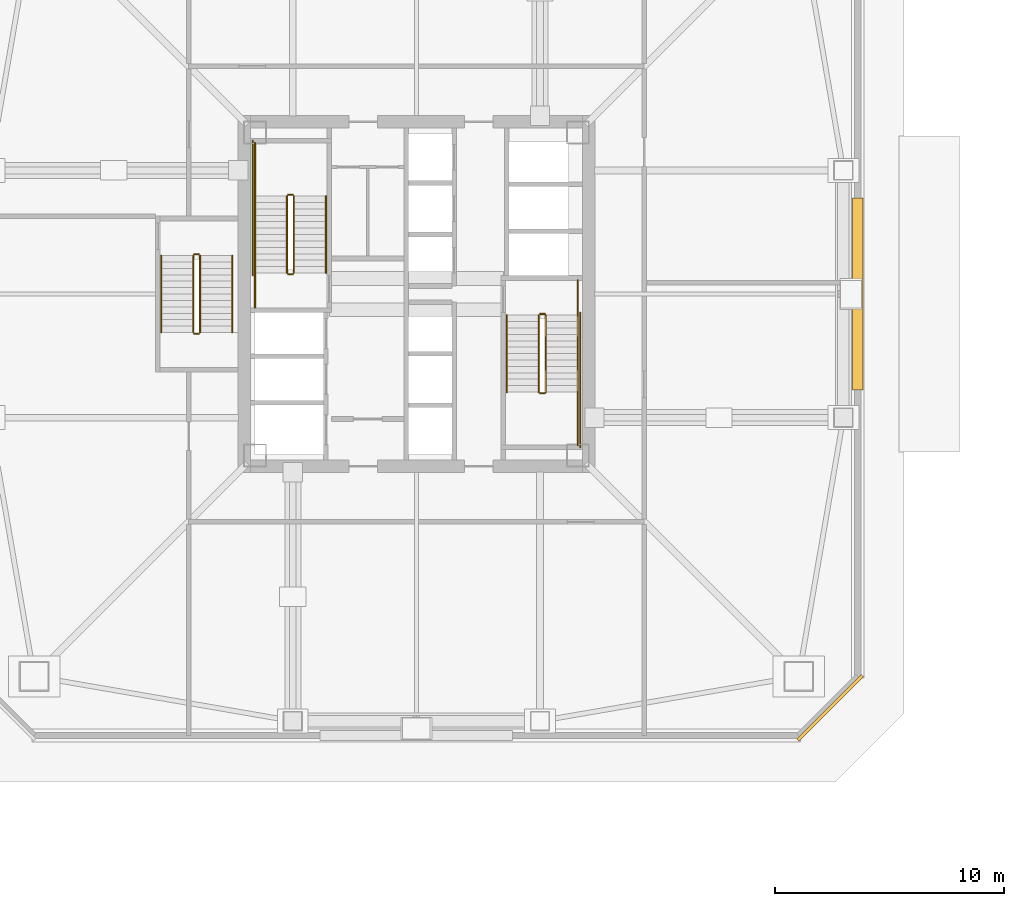
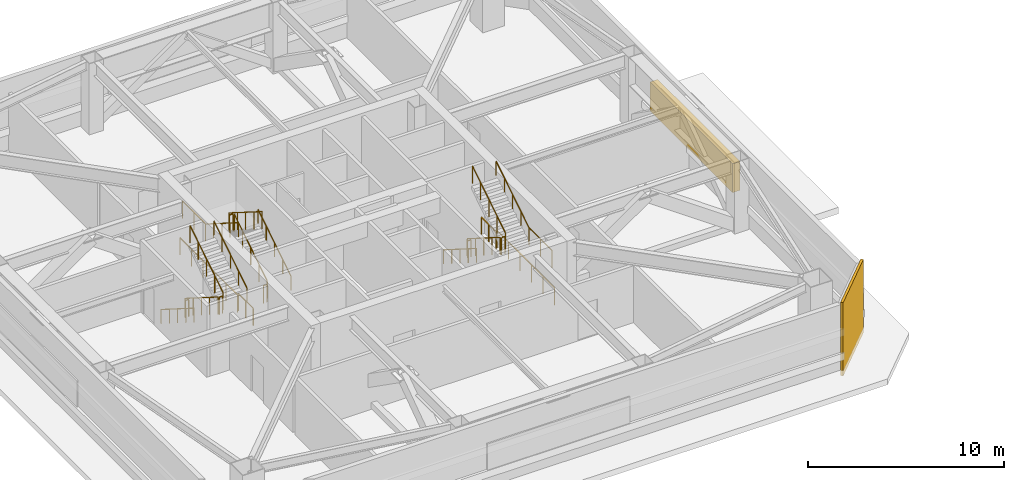
# One storey, part 11 of 15: 24 railings, 1 covering, 1 shading device.
"""IFC4 building model written with IfcOpenShell, lengths in metres."""

from ifc_helpers import new_model, si_unit, direction, frame, origin, origin_2d, place, context, subcontext, project, spatial, rectangle, extrude, material, layer, layer_set, type_object, element, save


model = new_model("IFC4")

# Units and contexts
model_context = context("Model", 3, precision=1e-05, world=origin(), true_north=direction((0.0, 1.0)))
body_context = subcontext(model_context, "Body", "Model", "MODEL_VIEW")
ifc_project = project(units=[si_unit("LENGTHUNIT", "METRE"), si_unit("AREAUNIT", "SQUARE_METRE"), si_unit("VOLUMEUNIT", "CUBIC_METRE"), si_unit("PLANEANGLEUNIT", "RADIAN"), si_unit("MASSUNIT", "GRAM", prefix="KILO")], contexts=[model_context])

# Site, building, storey
site_placement = place(None, origin())
site = spatial("IfcSite", under=ifc_project, at=site_placement, CompositionType="ELEMENT")
building_placement = place(site_placement, origin())
building = spatial("IfcBuilding", under=site, at=building_placement, Name="Tashvorn Skyway Center", CompositionType="ELEMENT")
storey_placement = place(building_placement, frame((0.0, 0.0, 109.800048828125)))
storey = spatial("IfcBuildingStorey", under=building, at=storey_placement, Name="L29", CompositionType="ELEMENT", Elevation=109.800048828125)

# Covering
ifc_material_1 = material(Name="Precast concrete C40/50", Category="concrete")
ifc_layer_1 = layer(ifc_material_1, 0.35009765625)
ifc_layer_set_1 = layer_set([ifc_layer_1], Name="Precast concrete C40/50")
covering_type = type_object("IfcCoveringType", Name="COV-STONE-TRIM", PredefinedType="CLADDING", material=ifc_layer_set_1)
covering_placement = place(storey_placement, frame((60.070068359375, 13.929931640625, 0.02001953125), z_axis=(0.0, 0.0, 1.0), x_axis=(0.707106781187, 0.707106781187, 0.0)))
element("IfcCovering", 1, at=covering_placement, inside=storey, type_object=covering_type, Name="Tower 1 L29 SE Mojave Limestone Corner Quoin", PredefinedType="CLADDING", context=body_context, shape_type="SweptSolid", body=[
    extrude(rectangle(XDim=3.978515625, YDim=0.139892578125, at=origin_2d()), origin(), (0.0, 0.0, 1.0), 4.56005859375),
])

# Railings
ifc_material_2 = material(Name="Brushed stainless steel 316", Category="steel")
railing_type_1 = type_object("IfcRailingType", Name="RAIL-HAND-920", PredefinedType="HANDRAIL", material=ifc_material_2)
railing_1_placement = place(storey_placement, frame((38.050048828125, 32.919921875, 0.1767578125)))
element("IfcRailing", 2, at=railing_1_placement, inside=storey, type_object=railing_type_1, Name="L29 ST-T1-1 stair handrail 1", PredefinedType="HANDRAIL", context=body_context, shape_type="SweptSolid", body=[
    extrude(rectangle(XDim=0.048095703125, YDim=0.048095703125, at=origin_2d()), frame((0.0, 0.0, 0.8759765625), z_axis=(0.0, 0.845361898145, 0.534194029511), x_axis=(-1.0, 0.0, 0.0)), (0.0, 0.0, 1.0), 3.974853515625),
    extrude(rectangle(XDim=0.0419921875, YDim=0.0419921875, at=origin_2d()), origin(), (0.0, 0.0, 1.0), 0.851806640625),
    extrude(rectangle(XDim=0.0419921875, YDim=0.0419921875, at=origin_2d()), frame((0.0, 0.840087890625, 0.53076171875)), (0.0, 0.0, 1.0), 0.851806640625),
    extrude(rectangle(XDim=0.0419921875, YDim=0.0419921875, at=origin_2d()), frame((0.0, 1.68017578125, 1.0615234375)), (0.0, 0.0, 1.0), 0.851806640625),
    extrude(rectangle(XDim=0.0419921875, YDim=0.0419921875, at=origin_2d()), frame((0.0, 2.52001953125, 1.592529296875)), (0.0, 0.0, 1.0), 0.851806640625),
    extrude(rectangle(XDim=0.0419921875, YDim=0.0419921875, at=origin_2d()), frame((0.0, 3.360107421875, 2.123291015625)), (0.0, 0.0, 1.0), 0.851806640625),
])
railing_2_placement = place(storey_placement, frame((34.949951171875, 36.280029296875, 2.476806640625)))
element("IfcRailing", 3, at=railing_2_placement, inside=storey, type_object=railing_type_1, Name="L29 ST-T1-1 stair handrail 2", PredefinedType="HANDRAIL", context=body_context, shape_type="SweptSolid", body=[
    extrude(rectangle(XDim=0.048095703125, YDim=0.048095703125, at=origin_2d()), frame((0.0, 0.0, 0.8759765625), z_axis=(0.0, -0.845389635667, 0.534150132366), x_axis=(1.0, 0.0, 0.0)), (0.0, 0.0, 1.0), 3.974609375),
    extrude(rectangle(XDim=0.0419921875, YDim=0.0419921875, at=origin_2d()), origin(), (0.0, 0.0, 1.0), 0.851806640625),
    extrude(rectangle(XDim=0.0419921875, YDim=0.0419921875, at=origin_2d()), frame((0.0, -0.840087890625, 0.53076171875)), (0.0, 0.0, 1.0), 0.851806640625),
    extrude(rectangle(XDim=0.0419921875, YDim=0.0419921875, at=origin_2d()), frame((0.0, -1.68017578125, 1.0615234375)), (0.0, 0.0, 1.0), 0.851806640625),
    extrude(rectangle(XDim=0.0419921875, YDim=0.0419921875, at=origin_2d()), frame((0.0, -2.52001953125, 1.59228515625)), (0.0, 0.0, 1.0), 0.851806640625),
    extrude(rectangle(XDim=0.0419921875, YDim=0.0419921875, at=origin_2d()), frame((0.0, -3.360107421875, 2.123046875)), (0.0, 0.0, 1.0), 0.851806640625),
])
railing_3_placement = place(storey_placement, frame((45.949951171875, 31.080078125, 0.1767578125)))
element("IfcRailing", 4, at=railing_3_placement, inside=storey, type_object=railing_type_1, Name="L29 ST-T1-2 stair handrail 1", PredefinedType="HANDRAIL", context=body_context, shape_type="SweptSolid", body=[
    extrude(rectangle(XDim=0.048095703125, YDim=0.048095703125, at=origin_2d()), frame((0.0, 0.0, 0.8759765625), z_axis=(0.0, -0.845361898145, 0.534194029511), x_axis=(1.0, 0.0, 0.0)), (0.0, 0.0, 1.0), 3.974853515625),
    extrude(rectangle(XDim=0.0419921875, YDim=0.0419921875, at=origin_2d()), origin(), (0.0, 0.0, 1.0), 0.851806640625),
    extrude(rectangle(XDim=0.0419921875, YDim=0.0419921875, at=origin_2d()), frame((0.0, -0.840087890625, 0.53076171875)), (0.0, 0.0, 1.0), 0.851806640625),
    extrude(rectangle(XDim=0.0419921875, YDim=0.0419921875, at=origin_2d()), frame((0.0, -1.68017578125, 1.0615234375)), (0.0, 0.0, 1.0), 0.851806640625),
    extrude(rectangle(XDim=0.0419921875, YDim=0.0419921875, at=origin_2d()), frame((0.0, -2.52001953125, 1.592529296875)), (0.0, 0.0, 1.0), 0.851806640625),
    extrude(rectangle(XDim=0.0419921875, YDim=0.0419921875, at=origin_2d()), frame((0.0, -3.360107421875, 2.123291015625)), (0.0, 0.0, 1.0), 0.851806640625),
])
railing_4_placement = place(storey_placement, frame((49.050048828125, 27.719970703125, 2.476806640625)))
element("IfcRailing", 5, at=railing_4_placement, inside=storey, type_object=railing_type_1, Name="L29 ST-T1-2 stair handrail 2", PredefinedType="HANDRAIL", context=body_context, shape_type="SweptSolid", body=[
    extrude(rectangle(XDim=0.048095703125, YDim=0.048095703125, at=origin_2d()), frame((0.0, 0.0, 0.8759765625), z_axis=(0.0, 0.845389635667, 0.534150132366), x_axis=(-1.0, 0.0, 0.0)), (0.0, 0.0, 1.0), 3.974609375),
    extrude(rectangle(XDim=0.0419921875, YDim=0.0419921875, at=origin_2d()), origin(), (0.0, 0.0, 1.0), 0.851806640625),
    extrude(rectangle(XDim=0.0419921875, YDim=0.0419921875, at=origin_2d()), frame((0.0, 0.840087890625, 0.53076171875)), (0.0, 0.0, 1.0), 0.851806640625),
    extrude(rectangle(XDim=0.0419921875, YDim=0.0419921875, at=origin_2d()), frame((0.0, 1.68017578125, 1.0615234375)), (0.0, 0.0, 1.0), 0.851806640625),
    extrude(rectangle(XDim=0.0419921875, YDim=0.0419921875, at=origin_2d()), frame((0.0, 2.52001953125, 1.59228515625)), (0.0, 0.0, 1.0), 0.851806640625),
    extrude(rectangle(XDim=0.0419921875, YDim=0.0419921875, at=origin_2d()), frame((0.0, 3.360107421875, 2.123046875)), (0.0, 0.0, 1.0), 0.851806640625),
])
railing_5_placement = place(storey_placement, frame((30.85009765625, 33.679931640625, 0.1767578125)))
element("IfcRailing", 6, at=railing_5_placement, inside=storey, type_object=railing_type_1, Name="L29 ST-T1-3 stair handrail 1", PredefinedType="HANDRAIL", context=body_context, shape_type="SweptSolid", body=[
    extrude(rectangle(XDim=0.048095703125, YDim=0.048095703125, at=origin_2d()), frame((0.0, 0.0, 0.8759765625), z_axis=(0.0, -0.845344368971, 0.534221768416), x_axis=(1.0, 0.0, 0.0)), (0.0, 0.0, 1.0), 3.974609375),
    extrude(rectangle(XDim=0.0419921875, YDim=0.0419921875, at=origin_2d()), origin(), (0.0, 0.0, 1.0), 0.851806640625),
    extrude(rectangle(XDim=0.0419921875, YDim=0.0419921875, at=origin_2d()), frame((0.0, -0.83984375, 0.53076171875)), (0.0, 0.0, 1.0), 0.851806640625),
    extrude(rectangle(XDim=0.0419921875, YDim=0.0419921875, at=origin_2d()), frame((0.0, -1.679931640625, 1.0615234375)), (0.0, 0.0, 1.0), 0.851806640625),
    extrude(rectangle(XDim=0.0419921875, YDim=0.0419921875, at=origin_2d()), frame((0.0, -2.52001953125, 1.592529296875)), (0.0, 0.0, 1.0), 0.851806640625),
    extrude(rectangle(XDim=0.0419921875, YDim=0.0419921875, at=origin_2d()), frame((0.0, -3.35986328125, 2.123291015625)), (0.0, 0.0, 1.0), 0.851806640625),
])
railing_6_placement = place(storey_placement, frame((33.949951171875, 30.320068359375, 2.476806640625)))
element("IfcRailing", 7, at=railing_6_placement, inside=storey, type_object=railing_type_1, Name="L29 ST-T1-3 stair handrail 2", PredefinedType="HANDRAIL", context=body_context, shape_type="SweptSolid", body=[
    extrude(rectangle(XDim=0.048095703125, YDim=0.048095703125, at=origin_2d()), frame((0.0, 0.0, 0.8759765625), z_axis=(0.0, 0.845372108799, 0.534177870812), x_axis=(-1.0, 0.0, 0.0)), (0.0, 0.0, 1.0), 3.974365234375),
    extrude(rectangle(XDim=0.0419921875, YDim=0.0419921875, at=origin_2d()), origin(), (0.0, 0.0, 1.0), 0.851806640625),
    extrude(rectangle(XDim=0.0419921875, YDim=0.0419921875, at=origin_2d()), frame((0.0, 0.83984375, 0.53076171875)), (0.0, 0.0, 1.0), 0.851806640625),
    extrude(rectangle(XDim=0.0419921875, YDim=0.0419921875, at=origin_2d()), frame((0.0, 1.679931640625, 1.0615234375)), (0.0, 0.0, 1.0), 0.851806640625),
    extrude(rectangle(XDim=0.0419921875, YDim=0.0419921875, at=origin_2d()), frame((0.0, 2.52001953125, 1.59228515625)), (0.0, 0.0, 1.0), 0.851806640625),
    extrude(rectangle(XDim=0.0419921875, YDim=0.0419921875, at=origin_2d()), frame((0.0, 3.35986328125, 2.123046875)), (0.0, 0.0, 1.0), 0.851806640625),
])
ifc_material_3 = material(Name="Painted galvanized steel S355", Category="steel")
railing_type_2 = type_object("IfcRailingType", Name="RAIL-STGUARD-1100", PredefinedType="GUARDRAIL", material=ifc_material_3)
railing_7_placement = place(storey_placement, frame((36.64990234375, 32.919921875, 0.1767578125)))
element("IfcRailing", 8, at=railing_7_placement, inside=storey, type_object=railing_type_2, Name="L29 ST-T1-1 stair guard 1", PredefinedType="GUARDRAIL", context=body_context, shape_type="SweptSolid", body=[
    extrude(rectangle(XDim=0.048095703125, YDim=0.048095703125, at=origin_2d()), frame((0.0, 0.0, 1.076171875), z_axis=(0.0, 0.845361898145, 0.534194029511), x_axis=(-1.0, 0.0, 0.0)), (0.0, 0.0, 1.0), 3.974853515625),
    extrude(rectangle(XDim=0.0419921875, YDim=0.0419921875, at=origin_2d()), origin(), (0.0, 0.0, 1.0), 1.052001953125),
    extrude(rectangle(XDim=0.0419921875, YDim=0.0419921875, at=origin_2d()), frame((0.0, 0.840087890625, 0.53076171875)), (0.0, 0.0, 1.0), 1.052001953125),
    extrude(rectangle(XDim=0.0419921875, YDim=0.0419921875, at=origin_2d()), frame((0.0, 1.68017578125, 1.0615234375)), (0.0, 0.0, 1.0), 1.052001953125),
    extrude(rectangle(XDim=0.0419921875, YDim=0.0419921875, at=origin_2d()), frame((0.0, 2.52001953125, 1.592529296875)), (0.0, 0.0, 1.0), 1.052001953125),
    extrude(rectangle(XDim=0.0419921875, YDim=0.0419921875, at=origin_2d()), frame((0.0, 3.360107421875, 2.123291015625)), (0.0, 0.0, 1.0), 1.052001953125),
])
railing_8_placement = place(storey_placement, frame((36.60009765625, 36.330078125, 2.300048828125)))
element("IfcRailing", 9, at=railing_8_placement, inside=storey, type_object=railing_type_2, Name="L29 ST-T1-1 stair guard 2", PredefinedType="GUARDRAIL", context=body_context, shape_type="SweptSolid", body=[
    extrude(rectangle(XDim=0.048095703125, YDim=0.048095703125, at=origin_2d()), frame((0.0, 0.0, 1.076171875), z_axis=(-1.0, 0.0, 0.0), x_axis=(0.0, -1.0, 0.0)), (0.0, 0.0, 1.0), 0.2001953125),
    extrude(rectangle(XDim=0.0419921875, YDim=0.0419921875, at=origin_2d()), origin(), (0.0, 0.0, 1.0), 1.052001953125),
    extrude(rectangle(XDim=0.0419921875, YDim=0.0419921875, at=origin_2d()), frame((-0.2001953125, 0.0, 0.0)), (0.0, 0.0, 1.0), 1.052001953125),
])
railing_9_placement = place(storey_placement, frame((34.949951171875, 36.280029296875, 2.300048828125)))
element("IfcRailing", 10, at=railing_9_placement, inside=storey, type_object=railing_type_2, Name="L29 ST-T1-1 stair guard 3", PredefinedType="GUARDRAIL", context=body_context, shape_type="SweptSolid", body=[
    extrude(rectangle(XDim=0.048095703125, YDim=0.048095703125, at=origin_2d()), frame((0.0, 0.0, 1.076171875), z_axis=(0.0, 1.0, 0.0), x_axis=(-1.0, 0.0, 0.0)), (0.0, 0.0, 1.0), 2.320068359375),
    extrude(rectangle(XDim=0.0419921875, YDim=0.0419921875, at=origin_2d()), origin(), (0.0, 0.0, 1.0), 1.052001953125),
    extrude(rectangle(XDim=0.0419921875, YDim=0.0419921875, at=origin_2d()), frame((0.0, 1.16015625, 0.0)), (0.0, 0.0, 1.0), 1.052001953125),
    extrude(rectangle(XDim=0.0419921875, YDim=0.0419921875, at=origin_2d()), frame((0.0, 2.320068359375, 0.0)), (0.0, 0.0, 1.0), 1.052001953125),
])
railing_10_placement = place(storey_placement, frame((36.35009765625, 36.280029296875, 2.476806640625)))
element("IfcRailing", 11, at=railing_10_placement, inside=storey, type_object=railing_type_2, Name="L29 ST-T1-1 stair guard 4", PredefinedType="GUARDRAIL", context=body_context, shape_type="SweptSolid", body=[
    extrude(rectangle(XDim=0.048095703125, YDim=0.048095703125, at=origin_2d()), frame((0.0, 0.0, 1.076171875), z_axis=(0.0, -0.845389635667, 0.534150132366), x_axis=(1.0, 0.0, 0.0)), (0.0, 0.0, 1.0), 3.974609375),
    extrude(rectangle(XDim=0.0419921875, YDim=0.0419921875, at=origin_2d()), origin(), (0.0, 0.0, 1.0), 1.052001953125),
    extrude(rectangle(XDim=0.0419921875, YDim=0.0419921875, at=origin_2d()), frame((0.0, -0.840087890625, 0.53076171875)), (0.0, 0.0, 1.0), 1.052001953125),
    extrude(rectangle(XDim=0.0419921875, YDim=0.0419921875, at=origin_2d()), frame((0.0, -1.68017578125, 1.0615234375)), (0.0, 0.0, 1.0), 1.052001953125),
    extrude(rectangle(XDim=0.0419921875, YDim=0.0419921875, at=origin_2d()), frame((0.0, -2.52001953125, 1.59228515625)), (0.0, 0.0, 1.0), 1.052001953125),
    extrude(rectangle(XDim=0.0419921875, YDim=0.0419921875, at=origin_2d()), frame((0.0, -3.360107421875, 2.123046875)), (0.0, 0.0, 1.0), 1.052001953125),
])
railing_11_placement = place(storey_placement, frame((36.60009765625, 32.8701171875, 0.0)))
element("IfcRailing", 12, at=railing_11_placement, inside=storey, type_object=railing_type_2, Name="L29 ST-T1-1 stair guard 5", PredefinedType="GUARDRAIL", context=body_context, shape_type="SweptSolid", body=[
    extrude(rectangle(XDim=0.048095703125, YDim=0.048095703125, at=origin_2d()), frame((0.0, 0.0, 1.076171875), z_axis=(-1.0, 0.0, 0.0), x_axis=(0.0, -1.0, 0.0)), (0.0, 0.0, 1.0), 0.2001953125),
    extrude(rectangle(XDim=0.0419921875, YDim=0.0419921875, at=origin_2d()), origin(), (0.0, 0.0, 1.0), 1.052001953125),
    extrude(rectangle(XDim=0.0419921875, YDim=0.0419921875, at=origin_2d()), frame((-0.2001953125, 0.0, 0.0)), (0.0, 0.0, 1.0), 1.052001953125),
])
railing_12_placement = place(storey_placement, frame((34.949951171875, 31.39990234375, 0.0)))
element("IfcRailing", 13, at=railing_12_placement, inside=storey, type_object=railing_type_2, Name="L29 ST-T1-1 stair guard 6", PredefinedType="GUARDRAIL", context=body_context, shape_type="SweptSolid", body=[
    extrude(rectangle(XDim=0.048095703125, YDim=0.048095703125, at=origin_2d()), frame((0.0, 0.0, 1.076171875), z_axis=(0.0, 1.0, 0.0), x_axis=(-1.0, 0.0, 0.0)), (0.0, 0.0, 1.0), 1.52001953125),
    extrude(rectangle(XDim=0.0419921875, YDim=0.0419921875, at=origin_2d()), origin(), (0.0, 0.0, 1.0), 1.052001953125),
    extrude(rectangle(XDim=0.0419921875, YDim=0.0419921875, at=origin_2d()), frame((0.0, 0.760009765625, 0.0)), (0.0, 0.0, 1.0), 1.052001953125),
    extrude(rectangle(XDim=0.0419921875, YDim=0.0419921875, at=origin_2d()), frame((0.0, 1.52001953125, 0.0)), (0.0, 0.0, 1.0), 1.052001953125),
])
railing_13_placement = place(storey_placement, frame((34.85009765625, 32.820068359375, 0.0)))
element("IfcRailing", 14, at=railing_13_placement, inside=storey, type_object=railing_type_2, Name="L29 ST-T1-1 stair guard 7", PredefinedType="GUARDRAIL", context=body_context, shape_type="SweptSolid", body=[
    extrude(rectangle(XDim=0.048095703125, YDim=0.048095703125, at=origin_2d()), frame((0.0, 0.0, 1.076171875), z_axis=(0.0, 1.0, 0.0), x_axis=(-1.0, 0.0, 0.0)), (0.0, 0.0, 1.0), 5.8798828125),
    extrude(rectangle(XDim=0.0419921875, YDim=0.0419921875, at=origin_2d()), origin(), (0.0, 0.0, 1.0), 1.052001953125),
    extrude(rectangle(XDim=0.0419921875, YDim=0.0419921875, at=origin_2d()), frame((0.0, 1.176025390625, 0.0)), (0.0, 0.0, 1.0), 1.052001953125),
    extrude(rectangle(XDim=0.0419921875, YDim=0.0419921875, at=origin_2d()), frame((0.0, 2.35205078125, 0.0)), (0.0, 0.0, 1.0), 1.052001953125),
    extrude(rectangle(XDim=0.0419921875, YDim=0.0419921875, at=origin_2d()), frame((0.0, 3.52783203125, 0.0)), (0.0, 0.0, 1.0), 1.052001953125),
    extrude(rectangle(XDim=0.0419921875, YDim=0.0419921875, at=origin_2d()), frame((0.0, 4.703857421875, 0.0)), (0.0, 0.0, 1.0), 1.052001953125),
    extrude(rectangle(XDim=0.0419921875, YDim=0.0419921875, at=origin_2d()), frame((0.0, 5.8798828125, 0.0)), (0.0, 0.0, 1.0), 1.052001953125),
])
railing_14_placement = place(storey_placement, frame((47.35009765625, 31.080078125, 0.1767578125)))
element("IfcRailing", 15, at=railing_14_placement, inside=storey, type_object=railing_type_2, Name="L29 ST-T1-2 stair guard 1", PredefinedType="GUARDRAIL", context=body_context, shape_type="SweptSolid", body=[
    extrude(rectangle(XDim=0.048095703125, YDim=0.048095703125, at=origin_2d()), frame((0.0, 0.0, 1.076171875), z_axis=(0.0, -0.845361898145, 0.534194029511), x_axis=(1.0, 0.0, 0.0)), (0.0, 0.0, 1.0), 3.974853515625),
    extrude(rectangle(XDim=0.0419921875, YDim=0.0419921875, at=origin_2d()), origin(), (0.0, 0.0, 1.0), 1.052001953125),
    extrude(rectangle(XDim=0.0419921875, YDim=0.0419921875, at=origin_2d()), frame((0.0, -0.840087890625, 0.53076171875)), (0.0, 0.0, 1.0), 1.052001953125),
    extrude(rectangle(XDim=0.0419921875, YDim=0.0419921875, at=origin_2d()), frame((0.0, -1.68017578125, 1.0615234375)), (0.0, 0.0, 1.0), 1.052001953125),
    extrude(rectangle(XDim=0.0419921875, YDim=0.0419921875, at=origin_2d()), frame((0.0, -2.52001953125, 1.592529296875)), (0.0, 0.0, 1.0), 1.052001953125),
    extrude(rectangle(XDim=0.0419921875, YDim=0.0419921875, at=origin_2d()), frame((0.0, -3.360107421875, 2.123291015625)), (0.0, 0.0, 1.0), 1.052001953125),
])
railing_15_placement = place(storey_placement, frame((47.39990234375, 27.669921875, 2.300048828125)))
element("IfcRailing", 16, at=railing_15_placement, inside=storey, type_object=railing_type_2, Name="L29 ST-T1-2 stair guard 2", PredefinedType="GUARDRAIL", context=body_context, shape_type="SweptSolid", body=[
    extrude(rectangle(XDim=0.048095703125, YDim=0.048095703125, at=origin_2d()), frame((0.0, 0.0, 1.076171875), z_axis=(1.0, 0.0, 0.0), x_axis=(0.0, 1.0, 0.0)), (0.0, 0.0, 1.0), 0.2001953125),
    extrude(rectangle(XDim=0.0419921875, YDim=0.0419921875, at=origin_2d()), origin(), (0.0, 0.0, 1.0), 1.052001953125),
    extrude(rectangle(XDim=0.0419921875, YDim=0.0419921875, at=origin_2d()), frame((0.2001953125, 0.0, 0.0)), (0.0, 0.0, 1.0), 1.052001953125),
])
railing_16_placement = place(storey_placement, frame((49.050048828125, 27.719970703125, 2.300048828125)))
element("IfcRailing", 17, at=railing_16_placement, inside=storey, type_object=railing_type_2, Name="L29 ST-T1-2 stair guard 3", PredefinedType="GUARDRAIL", context=body_context, shape_type="SweptSolid", body=[
    extrude(rectangle(XDim=0.048095703125, YDim=0.048095703125, at=origin_2d()), frame((0.0, 0.0, 1.076171875), z_axis=(0.0, -1.0, 0.0), x_axis=(1.0, 0.0, 0.0)), (0.0, 0.0, 1.0), 2.320068359375),
    extrude(rectangle(XDim=0.0419921875, YDim=0.0419921875, at=origin_2d()), origin(), (0.0, 0.0, 1.0), 1.052001953125),
    extrude(rectangle(XDim=0.0419921875, YDim=0.0419921875, at=origin_2d()), frame((0.0, -1.16015625, 0.0)), (0.0, 0.0, 1.0), 1.052001953125),
    extrude(rectangle(XDim=0.0419921875, YDim=0.0419921875, at=origin_2d()), frame((0.0, -2.320068359375, 0.0)), (0.0, 0.0, 1.0), 1.052001953125),
])
railing_17_placement = place(storey_placement, frame((47.64990234375, 27.719970703125, 2.476806640625)))
element("IfcRailing", 18, at=railing_17_placement, inside=storey, type_object=railing_type_2, Name="L29 ST-T1-2 stair guard 4", PredefinedType="GUARDRAIL", context=body_context, shape_type="SweptSolid", body=[
    extrude(rectangle(XDim=0.048095703125, YDim=0.048095703125, at=origin_2d()), frame((0.0, 0.0, 1.076171875), z_axis=(0.0, 0.845389635667, 0.534150132366), x_axis=(-1.0, 0.0, 0.0)), (0.0, 0.0, 1.0), 3.974609375),
    extrude(rectangle(XDim=0.0419921875, YDim=0.0419921875, at=origin_2d()), origin(), (0.0, 0.0, 1.0), 1.052001953125),
    extrude(rectangle(XDim=0.0419921875, YDim=0.0419921875, at=origin_2d()), frame((0.0, 0.840087890625, 0.53076171875)), (0.0, 0.0, 1.0), 1.052001953125),
    extrude(rectangle(XDim=0.0419921875, YDim=0.0419921875, at=origin_2d()), frame((0.0, 1.68017578125, 1.0615234375)), (0.0, 0.0, 1.0), 1.052001953125),
    extrude(rectangle(XDim=0.0419921875, YDim=0.0419921875, at=origin_2d()), frame((0.0, 2.52001953125, 1.59228515625)), (0.0, 0.0, 1.0), 1.052001953125),
    extrude(rectangle(XDim=0.0419921875, YDim=0.0419921875, at=origin_2d()), frame((0.0, 3.360107421875, 2.123046875)), (0.0, 0.0, 1.0), 1.052001953125),
])
railing_18_placement = place(storey_placement, frame((47.39990234375, 31.1298828125, 0.0)))
element("IfcRailing", 19, at=railing_18_placement, inside=storey, type_object=railing_type_2, Name="L29 ST-T1-2 stair guard 5", PredefinedType="GUARDRAIL", context=body_context, shape_type="SweptSolid", body=[
    extrude(rectangle(XDim=0.048095703125, YDim=0.048095703125, at=origin_2d()), frame((0.0, 0.0, 1.076171875), z_axis=(1.0, 0.0, 0.0), x_axis=(0.0, 1.0, 0.0)), (0.0, 0.0, 1.0), 0.2001953125),
    extrude(rectangle(XDim=0.0419921875, YDim=0.0419921875, at=origin_2d()), origin(), (0.0, 0.0, 1.0), 1.052001953125),
    extrude(rectangle(XDim=0.0419921875, YDim=0.0419921875, at=origin_2d()), frame((0.2001953125, 0.0, 0.0)), (0.0, 0.0, 1.0), 1.052001953125),
])
railing_19_placement = place(storey_placement, frame((49.050048828125, 32.60009765625, 0.0)))
element("IfcRailing", 20, at=railing_19_placement, inside=storey, type_object=railing_type_2, Name="L29 ST-T1-2 stair guard 6", PredefinedType="GUARDRAIL", context=body_context, shape_type="SweptSolid", body=[
    extrude(rectangle(XDim=0.048095703125, YDim=0.048095703125, at=origin_2d()), frame((0.0, 0.0, 1.076171875), z_axis=(0.0, -1.0, 0.0), x_axis=(1.0, 0.0, 0.0)), (0.0, 0.0, 1.0), 1.52001953125),
    extrude(rectangle(XDim=0.0419921875, YDim=0.0419921875, at=origin_2d()), origin(), (0.0, 0.0, 1.0), 1.052001953125),
    extrude(rectangle(XDim=0.0419921875, YDim=0.0419921875, at=origin_2d()), frame((0.0, -0.760009765625, 0.0)), (0.0, 0.0, 1.0), 1.052001953125),
    extrude(rectangle(XDim=0.0419921875, YDim=0.0419921875, at=origin_2d()), frame((0.0, -1.52001953125, 0.0)), (0.0, 0.0, 1.0), 1.052001953125),
])
railing_20_placement = place(storey_placement, frame((49.14990234375, 31.179931640625, 0.0)))
element("IfcRailing", 21, at=railing_20_placement, inside=storey, type_object=railing_type_2, Name="L29 ST-T1-2 stair guard 7", PredefinedType="GUARDRAIL", context=body_context, shape_type="SweptSolid", body=[
    extrude(rectangle(XDim=0.048095703125, YDim=0.048095703125, at=origin_2d()), frame((0.0, 0.0, 1.076171875), z_axis=(0.0, -1.0, 0.0), x_axis=(1.0, 0.0, 0.0)), (0.0, 0.0, 1.0), 5.8798828125),
    extrude(rectangle(XDim=0.0419921875, YDim=0.0419921875, at=origin_2d()), origin(), (0.0, 0.0, 1.0), 1.052001953125),
    extrude(rectangle(XDim=0.0419921875, YDim=0.0419921875, at=origin_2d()), frame((0.0, -1.176025390625, 0.0)), (0.0, 0.0, 1.0), 1.052001953125),
    extrude(rectangle(XDim=0.0419921875, YDim=0.0419921875, at=origin_2d()), frame((0.0, -2.35205078125, 0.0)), (0.0, 0.0, 1.0), 1.052001953125),
    extrude(rectangle(XDim=0.0419921875, YDim=0.0419921875, at=origin_2d()), frame((0.0, -3.52783203125, 0.0)), (0.0, 0.0, 1.0), 1.052001953125),
    extrude(rectangle(XDim=0.0419921875, YDim=0.0419921875, at=origin_2d()), frame((0.0, -4.703857421875, 0.0)), (0.0, 0.0, 1.0), 1.052001953125),
    extrude(rectangle(XDim=0.0419921875, YDim=0.0419921875, at=origin_2d()), frame((0.0, -5.8798828125, 0.0)), (0.0, 0.0, 1.0), 1.052001953125),
])
railing_21_placement = place(storey_placement, frame((32.25, 33.679931640625, 0.1767578125)))
element("IfcRailing", 22, at=railing_21_placement, inside=storey, type_object=railing_type_2, Name="L29 ST-T1-3 stair guard 1", PredefinedType="GUARDRAIL", context=body_context, shape_type="SweptSolid", body=[
    extrude(rectangle(XDim=0.048095703125, YDim=0.048095703125, at=origin_2d()), frame((0.0, 0.0, 1.076171875), z_axis=(0.0, -0.845344368971, 0.534221768416), x_axis=(1.0, 0.0, 0.0)), (0.0, 0.0, 1.0), 3.974609375),
    extrude(rectangle(XDim=0.0419921875, YDim=0.0419921875, at=origin_2d()), origin(), (0.0, 0.0, 1.0), 1.052001953125),
    extrude(rectangle(XDim=0.0419921875, YDim=0.0419921875, at=origin_2d()), frame((0.0, -0.83984375, 0.53076171875)), (0.0, 0.0, 1.0), 1.052001953125),
    extrude(rectangle(XDim=0.0419921875, YDim=0.0419921875, at=origin_2d()), frame((0.0, -1.679931640625, 1.0615234375)), (0.0, 0.0, 1.0), 1.052001953125),
    extrude(rectangle(XDim=0.0419921875, YDim=0.0419921875, at=origin_2d()), frame((0.0, -2.52001953125, 1.592529296875)), (0.0, 0.0, 1.0), 1.052001953125),
    extrude(rectangle(XDim=0.0419921875, YDim=0.0419921875, at=origin_2d()), frame((0.0, -3.35986328125, 2.123291015625)), (0.0, 0.0, 1.0), 1.052001953125),
])
railing_22_placement = place(storey_placement, frame((32.300048828125, 30.27001953125, 2.300048828125)))
element("IfcRailing", 23, at=railing_22_placement, inside=storey, type_object=railing_type_2, Name="L29 ST-T1-3 stair guard 2", PredefinedType="GUARDRAIL", context=body_context, shape_type="SweptSolid", body=[
    extrude(rectangle(XDim=0.048095703125, YDim=0.048095703125, at=origin_2d()), frame((0.0, 0.0, 1.076171875), z_axis=(1.0, 0.0, 0.0), x_axis=(0.0, 1.0, 0.0)), (0.0, 0.0, 1.0), 0.199951171875),
    extrude(rectangle(XDim=0.0419921875, YDim=0.0419921875, at=origin_2d()), origin(), (0.0, 0.0, 1.0), 1.052001953125),
    extrude(rectangle(XDim=0.0419921875, YDim=0.0419921875, at=origin_2d()), frame((0.199951171875, 0.0, 0.0)), (0.0, 0.0, 1.0), 1.052001953125),
])
railing_23_placement = place(storey_placement, frame((32.550048828125, 30.320068359375, 2.476806640625)))
element("IfcRailing", 24, at=railing_23_placement, inside=storey, type_object=railing_type_2, Name="L29 ST-T1-3 stair guard 3", PredefinedType="GUARDRAIL", context=body_context, shape_type="SweptSolid", body=[
    extrude(rectangle(XDim=0.048095703125, YDim=0.048095703125, at=origin_2d()), frame((0.0, 0.0, 1.076171875), z_axis=(0.0, 0.845372108799, 0.534177870812), x_axis=(-1.0, 0.0, 0.0)), (0.0, 0.0, 1.0), 3.974365234375),
    extrude(rectangle(XDim=0.0419921875, YDim=0.0419921875, at=origin_2d()), origin(), (0.0, 0.0, 1.0), 1.052001953125),
    extrude(rectangle(XDim=0.0419921875, YDim=0.0419921875, at=origin_2d()), frame((0.0, 0.83984375, 0.53076171875)), (0.0, 0.0, 1.0), 1.052001953125),
    extrude(rectangle(XDim=0.0419921875, YDim=0.0419921875, at=origin_2d()), frame((0.0, 1.679931640625, 1.0615234375)), (0.0, 0.0, 1.0), 1.052001953125),
    extrude(rectangle(XDim=0.0419921875, YDim=0.0419921875, at=origin_2d()), frame((0.0, 2.52001953125, 1.59228515625)), (0.0, 0.0, 1.0), 1.052001953125),
    extrude(rectangle(XDim=0.0419921875, YDim=0.0419921875, at=origin_2d()), frame((0.0, 3.35986328125, 2.123046875)), (0.0, 0.0, 1.0), 1.052001953125),
])
railing_24_placement = place(storey_placement, frame((32.300048828125, 33.72998046875, 0.0)))
element("IfcRailing", 25, at=railing_24_placement, inside=storey, type_object=railing_type_2, Name="L29 ST-T1-3 stair guard 4", PredefinedType="GUARDRAIL", context=body_context, shape_type="SweptSolid", body=[
    extrude(rectangle(XDim=0.048095703125, YDim=0.048095703125, at=origin_2d()), frame((0.0, 0.0, 1.076171875), z_axis=(1.0, 0.0, 0.0), x_axis=(0.0, 1.0, 0.0)), (0.0, 0.0, 1.0), 0.199951171875),
    extrude(rectangle(XDim=0.0419921875, YDim=0.0419921875, at=origin_2d()), origin(), (0.0, 0.0, 1.0), 1.052001953125),
    extrude(rectangle(XDim=0.0419921875, YDim=0.0419921875, at=origin_2d()), frame((0.199951171875, 0.0, 0.0)), (0.0, 0.0, 1.0), 1.052001953125),
])

# Shading device
ifc_material_4 = material(Name="Thermally broken bronze-anodized aluminium 6063-T6", Category="aluminium")
ifc_layer_2 = layer(ifc_material_4, 0.1201171875)
ifc_layer_set_2 = layer_set([ifc_layer_2], Name="Thermally broken bronze-anodized aluminium 6063-T6")
shading_device_type = type_object("IfcShadingDeviceType", Name="SHD-LOUVRE-450", PredefinedType="JALOUSIE", material=ifc_layer_set_2)
shading_device_placement = place(storey_placement, frame((61.280029296875, 32.0, 1.2998046875), z_axis=(0.0, 0.0, 1.0), x_axis=(0.0, -1.0, 0.0)))
element("IfcShadingDevice", 26, at=shading_device_placement, inside=storey, type_object=shading_device_type, Name="Tower 1 L29 East Mechanical Intake Louvre", PredefinedType="JALOUSIE", context=body_context, shape_type="SweptSolid", body=[
    extrude(rectangle(XDim=8.39990234375, YDim=0.449951171875, at=origin_2d()), origin(), (0.0, 0.0, 1.0), 1.800048828125),
])

save(model, "model.ifc")
